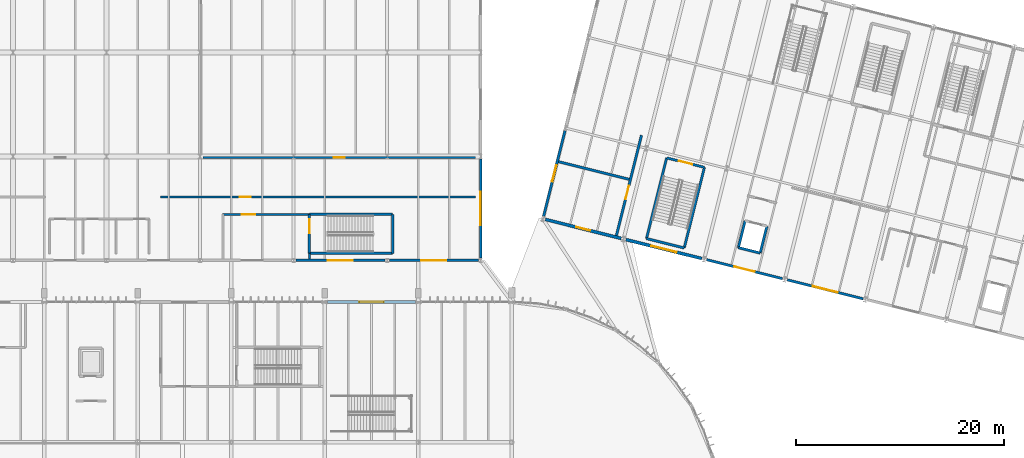
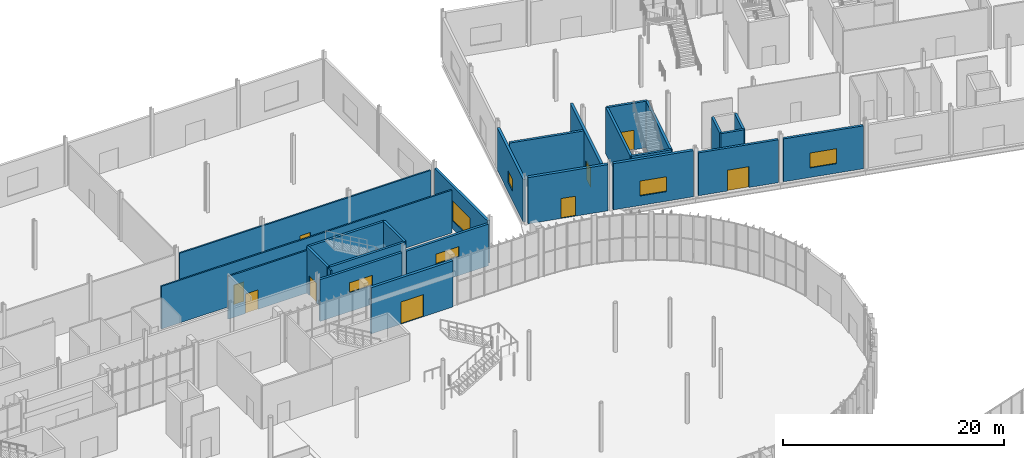
# One storey, part 126 of 158: 26 walls, 9 doors, 6 windows, 15 openings.
"""IFC4 building model written with IfcOpenShell, lengths in metres."""

from ifc_helpers import new_model, si_unit, derived_unit, direction, frame, frame_2d, origin, place, context, subcontext, project, spatial, rectangle, extrude, material, layer, layer_set, type_object, element, fill, save


model = new_model("IFC4")

# Units and contexts
model_context = context("Model", 3, precision=1e-05, world=origin(), true_north=direction((0.0, 1.0)))
body_context = subcontext(model_context, "Body", "Model", "MODEL_VIEW")
ifc_project = project(units=[si_unit("LENGTHUNIT", "METRE"), si_unit("AREAUNIT", "SQUARE_METRE"), si_unit("VOLUMEUNIT", "CUBIC_METRE"), si_unit("PLANEANGLEUNIT", "RADIAN"), si_unit("MASSUNIT", "GRAM", prefix="KILO"), si_unit("THERMODYNAMICTEMPERATUREUNIT", "KELVIN"), si_unit("TIMEUNIT", "SECOND"), derived_unit("THERMALTRANSMITTANCEUNIT", [(si_unit("MASSUNIT", "GRAM", prefix="KILO"), 1), (si_unit("THERMODYNAMICTEMPERATUREUNIT", "KELVIN"), -1), (si_unit("TIMEUNIT", "SECOND"), -3)])], contexts=[model_context])

# Site, building, storey
site_placement = place(None, origin())
site = spatial("IfcSite", under=ifc_project, at=site_placement, CompositionType="ELEMENT")
building_placement = place(site_placement, origin())
building = spatial("IfcBuilding", under=site, at=building_placement, Name="Cambertide Market Hall", CompositionType="ELEMENT")
storey_placement = place(building_placement, origin())
storey = spatial("IfcBuildingStorey", under=building, at=storey_placement, Name="L01", CompositionType="ELEMENT", Elevation=0.0)

# Wall, opening, door
ifc_material_1 = material(Name="Concrete B35", Category="concrete")
ifc_layer_1 = layer(ifc_material_1, 0.25, Name="Compartment Fire Wall 250")
ifc_layer_set_1 = layer_set([ifc_layer_1], Name="Concrete B35")
wall_type_1 = type_object("IfcWallType", Name="Compartment Fire Wall 250", PredefinedType="SOLIDWALL", material=ifc_layer_set_1)
wall_1_placement = place(storey_placement, frame((115.06982421875, 98.38720703125, 0.0), z_axis=(0.0, 0.0, 1.0), x_axis=(0.242547171792, 0.970139613384, 0.0)))
wall_1 = element("IfcWall", 1, at=wall_1_placement, inside=storey, type_object=wall_type_1, Name="Level 1 Interior Wall IW-L01-FCC-E", PredefinedType="SOLIDWALL", context=body_context, shape_type="SweptSolid", body=[
    extrude(rectangle(XDim=9.949951171875, YDim=0.25, at=frame_2d((4.97509765625, 0.0))), origin(), (0.0, 0.0, 1.0), 5.080078125),
])
opening_1_placement = place(wall_1_placement, frame((3.633056640625, 0.0, 0.0)))
opening_1 = element("IfcOpeningElement", 2, at=opening_1_placement, cuts=wall_1, Name="Opening FD-01", PredefinedType="OPENING", context=body_context, shape_type="SweptSolid", body=[
    extrude(rectangle(XDim=1.300048828125, YDim=2.14990234375, at=frame_2d((0.64990234375, 1.074951171875))), frame((0.0, 0.135009765625, 0.0), z_axis=(0.0, -1.0, 0.0), x_axis=(1.0, 0.0, 0.0)), (0.0, 0.0, 1.0), 0.27001953125),
])
ifc_material_2 = material(Name="Powder-Coated Galvanized Sheet Metal", Category="metal")
door_type_1 = type_object("IfcDoorType", Name="Stair Core Fire Door 1300x2150", OperationType="NOTDEFINED", PredefinedType="DOOR", material=ifc_material_2)
door_1_placement = place(opening_1_placement, origin())
door_1 = element("IfcDoor", 3, at=door_1_placement, inside=storey, type_object=door_type_1, Name="Level 1 Door IW-L01-FCC-E-DR1", OperationType="SINGLE_SWING_LEFT", OverallHeight=2.14990234375, OverallWidth=1.300048828125, PredefinedType="DOOR", context=body_context, shape_type="SweptSolid", body=[
    extrude(rectangle(XDim=1.300048828125, YDim=2.14990234375, at=frame_2d((0.64990234375, 1.074951171875))), frame((0.0, 0.02490234375, 0.0), z_axis=(0.0, -1.0, 0.0), x_axis=(1.0, 0.0, 0.0)), (0.0, 0.0, 1.0), 0.050048828125),
])
fill(opening_1, door_1)

# Wall
wall_2_placement = place(storey_placement, frame((109.503662109375, 105.49951171875, 0.0), z_axis=(0.0, 0.0, 1.0), x_axis=(0.970142500145, -0.242535625036, 0.0)))
element("IfcWall", 4, at=wall_2_placement, inside=storey, type_object=wall_type_1, Name="Level 1 Interior Wall IW-L01-FCC-N", PredefinedType="SOLIDWALL", context=body_context, shape_type="SweptSolid", body=[
    extrude(rectangle(XDim=7.0, YDim=0.25, at=frame_2d((3.5, 0.0))), origin(), (0.0, 0.0, 1.0), 5.080078125),
])

# Wall, opening, door
ifc_material_3 = material(Name="Autoclaved Aerated Concrete Blockwork M7.5", Category="masonry")
ifc_layer_2 = layer(ifc_material_3, 0.159912109375, Name="Fire-Rated Corridor & Kitchen Partition 160")
ifc_layer_set_2 = layer_set([ifc_layer_2], Name="Autoclaved Aerated Concrete Blockwork M7.5")
wall_type_2 = type_object("IfcWallType", Name="Fire-Rated Corridor & Kitchen Partition 160", PredefinedType="PARTITIONING", material=ifc_layer_set_2)
wall_3_placement = place(storey_placement, frame((75.300048828125, 105.89990234375, 0.0), z_axis=(0.0, 0.0, 1.0), x_axis=(1.0, 0.0, 0.0)))
wall_3 = element("IfcWall", 5, at=wall_3_placement, inside=storey, type_object=wall_type_2, Name="Level 1 Interior Wall IW-L01-V2N-3", PredefinedType="PARTITIONING", context=body_context, shape_type="SweptSolid", body=[
    extrude(rectangle(XDim=26.199951171875, YDim=0.159912109375, at=frame_2d((13.10009765625, 0.0))), origin(), (0.0, 0.0, 1.0), 4.610107421875),
])
opening_2_placement = place(wall_3_placement, frame((12.574951171875, 0.0, 0.0)))
opening_2 = element("IfcOpeningElement", 6, at=opening_2_placement, cuts=wall_3, Name="Opening KD-01", PredefinedType="OPENING", context=body_context, shape_type="SweptSolid", body=[
    extrude(rectangle(XDim=1.050048828125, YDim=2.14990234375, at=frame_2d((0.52490234375, 1.074951171875))), frame((0.0, 0.08984375, 0.0), z_axis=(0.0, -1.0, 0.0), x_axis=(1.0, 0.0, 0.0)), (0.0, 0.0, 1.0), 0.179931640625),
])
ifc_material_4 = material(Name="Stainless Steel Grade 316", Category="metal")
door_type_2 = type_object("IfcDoorType", Name="Kitchen & Lab Fire Door 1050x2150", OperationType="NOTDEFINED", PredefinedType="DOOR", material=ifc_material_4)
door_2_placement = place(opening_2_placement, origin())
door_2 = element("IfcDoor", 7, at=door_2_placement, inside=storey, type_object=door_type_2, Name="Level 1 Door IW-L01-V2N-3-DR1", OperationType="SINGLE_SWING_RIGHT", OverallHeight=2.14990234375, OverallWidth=1.050048828125, PredefinedType="DOOR", context=body_context, shape_type="SweptSolid", body=[
    extrude(rectangle(XDim=1.050048828125, YDim=2.14990234375, at=frame_2d((0.52490234375, 1.074951171875))), frame((0.0, 0.02490234375, 0.0), z_axis=(0.0, -1.0, 0.0), x_axis=(1.0, 0.0, 0.0)), (0.0, 0.0, 1.0), 0.050048828125),
])
fill(opening_2, door_2)

wall_4_placement = place(storey_placement, frame((71.199951171875, 102.10009765625, 0.0), z_axis=(0.0, 0.0, 1.0), x_axis=(1.0, 0.0, 0.0)))
wall_4 = element("IfcWall", 8, at=wall_4_placement, inside=storey, type_object=wall_type_2, Name="Level 1 Interior Wall IW-L01-V2S-2", PredefinedType="PARTITIONING", context=body_context, shape_type="SweptSolid", body=[
    extrude(rectangle(XDim=30.300048828125, YDim=0.159912109375, at=frame_2d((15.14990234375, 0.0))), origin(), (0.0, 0.0, 1.0), 4.7099609375),
])
opening_3_placement = place(wall_4_placement, frame((7.60498046875, 0.0, 0.0)))
opening_3 = element("IfcOpeningElement", 9, at=opening_3_placement, cuts=wall_4, Name="Opening KD-01", PredefinedType="OPENING", context=body_context, shape_type="SweptSolid", body=[
    extrude(rectangle(XDim=1.050048828125, YDim=2.14990234375, at=frame_2d((0.52490234375, 1.074951171875))), frame((0.0, 0.08984375, 0.0), z_axis=(0.0, -1.0, 0.0), x_axis=(1.0, 0.0, 0.0)), (0.0, 0.0, 1.0), 0.179931640625),
])
door_3_placement = place(opening_3_placement, origin())
door_3 = element("IfcDoor", 10, at=door_3_placement, inside=storey, type_object=door_type_2, Name="Level 1 Door IW-L01-V2S-2-DR1", OperationType="SINGLE_SWING_RIGHT", OverallHeight=2.14990234375, OverallWidth=1.050048828125, PredefinedType="DOOR", context=body_context, shape_type="SweptSolid", body=[
    extrude(rectangle(XDim=1.050048828125, YDim=2.14990234375, at=frame_2d((0.52490234375, 1.074951171875))), frame((0.0, 0.02490234375, 0.0), z_axis=(0.0, -1.0, 0.0), x_axis=(1.0, 0.0, 0.0)), (0.0, 0.0, 1.0), 0.050048828125),
])
fill(opening_3, door_3)

# Wall, opening, window
ifc_material_5 = material(Name="Autoclaved Aerated Concrete Blockwork M7.5", Category="masonry")
ifc_layer_3 = layer(ifc_material_5, 0.25, Name="Insulated AAC Exterior Infill Wall 250")
ifc_layer_set_3 = layer_set([ifc_layer_3], Name="Autoclaved Aerated Concrete Blockwork M7.5")
wall_type_3 = type_object("IfcWallType", Name="Insulated AAC Exterior Infill Wall 250", PredefinedType="SOLIDWALL", material=ifc_layer_set_3)
wall_5_placement = place(storey_placement, frame((92.780029296875, 96.0, 0.0), z_axis=(0.0, 0.0, 1.0), x_axis=(-1.0, 0.0, 0.0)))
wall_5 = element("IfcWall", 11, at=wall_5_placement, inside=storey, type_object=wall_type_3, Name="Level 1 Exterior Wall EW-L01-V2S-9", PredefinedType="SOLIDWALL", context=body_context, shape_type="SweptSolid", body=[
    extrude(rectangle(XDim=8.56005859375, YDim=0.25, at=frame_2d((4.280029296875, 0.0))), origin(), (0.0, 0.0, 1.0), 4.610107421875),
])
opening_4_placement = place(wall_5_placement, frame((3.080078125, 0.0, 2.10009765625)))
opening_4 = element("IfcOpeningElement", 12, at=opening_4_placement, cuts=wall_5, Name="Opening WN-01", PredefinedType="OPENING", context=body_context, shape_type="SweptSolid", body=[
    extrude(rectangle(XDim=2.39990234375, YDim=1.10009765625, at=frame_2d((1.199951171875, 0.550048828125))), frame((0.0, 0.135009765625, 0.0), z_axis=(0.0, -1.0, 0.0), x_axis=(1.0, 0.0, 0.0)), (0.0, 0.0, 1.0), 0.27001953125),
])
ifc_material_6 = material(Name="Low-E Laminated Insulated Glass", Category="glass")
window_type_1 = type_object("IfcWindowType", Name="Service Arcade Clerestory Window 2400x1100", PartitioningType="SINGLE_PANEL", PredefinedType="WINDOW", material=ifc_material_6)
window_1_placement = place(opening_4_placement, origin())
window_1 = element("IfcWindow", 13, at=window_1_placement, inside=storey, type_object=window_type_1, Name="Level 1 Window EW-L01-V2S-9-WN", OverallHeight=1.10009765625, OverallWidth=2.39990234375, PartitioningType="SINGLE_PANEL", PredefinedType="WINDOW", context=body_context, shape_type="SweptSolid", body=[
    extrude(rectangle(XDim=2.39990234375, YDim=1.10009765625, at=frame_2d((1.199951171875, 0.550048828125))), frame((0.0, 0.030029296875, 0.0), z_axis=(0.0, -1.0, 0.0), x_axis=(1.0, 0.0, 0.0)), (0.0, 0.0, 1.0), 0.06005859375),
])
fill(opening_4, window_1)

wall_6_placement = place(storey_placement, frame((101.780029296875, 96.0, 0.0), z_axis=(0.0, 0.0, 1.0), x_axis=(-1.0, 0.0, 0.0)))
wall_6 = element("IfcWall", 14, at=wall_6_placement, inside=storey, type_object=wall_type_3, Name="Level 1 Exterior Wall EW-L01-V2S-10", PredefinedType="SOLIDWALL", context=body_context, shape_type="SweptSolid", body=[
    extrude(rectangle(XDim=8.56005859375, YDim=0.25, at=frame_2d((4.280029296875, 0.0))), origin(), (0.0, 0.0, 1.0), 4.610107421875),
])
opening_5_placement = place(wall_6_placement, frame((3.080078125, 0.0, 2.10009765625)))
opening_5 = element("IfcOpeningElement", 15, at=opening_5_placement, cuts=wall_6, Name="Opening WN-01", PredefinedType="OPENING", context=body_context, shape_type="SweptSolid", body=[
    extrude(rectangle(XDim=2.39990234375, YDim=1.10009765625, at=frame_2d((1.199951171875, 0.550048828125))), frame((0.0, 0.135009765625, 0.0), z_axis=(0.0, -1.0, 0.0), x_axis=(1.0, 0.0, 0.0)), (0.0, 0.0, 1.0), 0.27001953125),
])
window_2_placement = place(opening_5_placement, origin())
window_2 = element("IfcWindow", 16, at=window_2_placement, inside=storey, type_object=window_type_1, Name="Level 1 Window EW-L01-V2S-10-WN", OverallHeight=1.10009765625, OverallWidth=2.39990234375, PartitioningType="SINGLE_PANEL", PredefinedType="WINDOW", context=body_context, shape_type="SweptSolid", body=[
    extrude(rectangle(XDim=2.39990234375, YDim=1.10009765625, at=frame_2d((1.199951171875, 0.550048828125))), frame((0.0, 0.030029296875, 0.0), z_axis=(0.0, -1.0, 0.0), x_axis=(1.0, 0.0, 0.0)), (0.0, 0.0, 1.0), 0.06005859375),
])
fill(opening_5, window_2)

wall_7_placement = place(storey_placement, frame((102.0, 105.780029296875, 0.0), z_axis=(0.0, 0.0, 1.0), x_axis=(0.0, -1.0, 0.0)))
wall_7 = element("IfcWall", 17, at=wall_7_placement, inside=storey, type_object=wall_type_3, Name="Level 1 Exterior Wall EW-L01-V2E-1", PredefinedType="SOLIDWALL", context=body_context, shape_type="SweptSolid", body=[
    extrude(rectangle(XDim=9.56005859375, YDim=0.25, at=frame_2d((4.780029296875, 0.0))), origin(), (0.0, 0.0, 1.0), 4.7099609375),
])
opening_6_placement = place(wall_7_placement, frame((3.179931640625, 0.0, 0.89990234375)))
opening_6 = element("IfcOpeningElement", 18, at=opening_6_placement, cuts=wall_7, Name="Opening WN-02", PredefinedType="OPENING", context=body_context, shape_type="SweptSolid", body=[
    extrude(rectangle(XDim=3.199951171875, YDim=2.199951171875, at=frame_2d((1.60009765625, 1.10009765625))), frame((0.0, 0.135009765625, 0.0), z_axis=(0.0, -1.0, 0.0), x_axis=(1.0, 0.0, 0.0)), (0.0, 0.0, 1.0), 0.27001953125),
])
ifc_material_7 = material(Name="Low-E Laminated Insulated Glass", Category="glass")
window_type_2 = type_object("IfcWindowType", Name="Retail Display Window 3200x2200", PartitioningType="SINGLE_PANEL", PredefinedType="WINDOW", material=ifc_material_7)
window_3_placement = place(opening_6_placement, origin())
window_3 = element("IfcWindow", 19, at=window_3_placement, inside=storey, type_object=window_type_2, Name="Level 1 Window EW-L01-V2E-1-WN", OverallHeight=2.199951171875, OverallWidth=3.199951171875, PartitioningType="SINGLE_PANEL", PredefinedType="WINDOW", context=body_context, shape_type="SweptSolid", body=[
    extrude(rectangle(XDim=3.199951171875, YDim=2.199951171875, at=frame_2d((1.60009765625, 1.10009765625))), frame((0.0, 0.030029296875, 0.0), z_axis=(0.0, -1.0, 0.0), x_axis=(1.0, 0.0, 0.0)), (0.0, 0.0, 1.0), 0.06005859375),
])
fill(opening_6, window_3)

# Wall, opening, door
wall_8_placement = place(storey_placement, frame((131.050537109375, 94.2373046875, 0.0), z_axis=(0.0, 0.0, 1.0), x_axis=(-0.970138680536, 0.242550902961, 0.0)))
wall_8 = element("IfcWall", 20, at=wall_8_placement, inside=storey, type_object=wall_type_3, Name="Level 1 Exterior Wall EW-L01-V4S-3", PredefinedType="SOLIDWALL", context=body_context, shape_type="SweptSolid", body=[
    extrude(rectangle(XDim=7.52001953125, YDim=0.25, at=frame_2d((3.760009765625, 0.0))), origin(), (0.0, 0.0, 1.0), 4.735107421875),
])
opening_7_placement = place(wall_8_placement, frame((2.760009765625, 0.0, 0.0)))
opening_7 = element("IfcOpeningElement", 21, at=opening_7_placement, cuts=wall_8, Name="Opening ED-01", PredefinedType="OPENING", context=body_context, shape_type="SweptSolid", body=[
    extrude(rectangle(XDim=2.0, YDim=2.300048828125, at=frame_2d((1.0, 1.14990234375))), frame((0.0, 0.135009765625, 0.0), z_axis=(0.0, -1.0, 0.0), x_axis=(1.0, 0.0, 0.0)), (0.0, 0.0, 1.0), 0.27001953125),
])
ifc_material_8 = material(Name="Champagne Marine Anodized Aluminium 6063-T6 AA25", Category="aluminium")
door_type_3 = type_object("IfcDoorType", Name="Final Exit Double Door 2000x2300", OperationType="DOUBLE_DOOR_SINGLE_SWING", PredefinedType="DOOR", material=ifc_material_8)
door_4_placement = place(opening_7_placement, origin())
door_4 = element("IfcDoor", 22, at=door_4_placement, inside=storey, type_object=door_type_3, Name="Level 1 Exterior Door EW-L01-V4S-3-DR", OperationType="DOUBLE_DOOR_SINGLE_SWING", OverallHeight=2.300048828125, OverallWidth=2.0, PredefinedType="DOOR", context=body_context, shape_type="SweptSolid", body=[
    extrude(rectangle(XDim=2.0, YDim=2.300048828125, at=frame_2d((1.0, 1.14990234375))), frame((0.0, 0.02490234375, 0.0), z_axis=(0.0, -1.0, 0.0), x_axis=(1.0, 0.0, 0.0)), (0.0, 0.0, 1.0), 0.050048828125),
])
fill(opening_7, door_4)

# Wall, opening, window
wall_9_placement = place(storey_placement, frame((138.811767578125, 92.297119140625, 0.0), z_axis=(0.0, 0.0, 1.0), x_axis=(-0.970146319544, 0.242520346931, 0.0)))
wall_9 = element("IfcWall", 23, at=wall_9_placement, inside=storey, type_object=wall_type_3, Name="Level 1 Exterior Wall EW-L01-V4S-4", PredefinedType="SOLIDWALL", context=body_context, shape_type="SweptSolid", body=[
    extrude(rectangle(XDim=7.52001953125, YDim=0.25, at=frame_2d((3.760009765625, 0.0))), origin(), (0.0, 0.0, 1.0), 4.735107421875),
])
opening_8_placement = place(wall_9_placement, frame((2.510009765625, 0.0, 1.050048828125)))
opening_8 = element("IfcOpeningElement", 24, at=opening_8_placement, cuts=wall_9, Name="Opening WN-09", PredefinedType="OPENING", context=body_context, shape_type="SweptSolid", body=[
    extrude(rectangle(XDim=2.5, YDim=1.64990234375, at=frame_2d((1.25, 0.824951171875))), frame((0.0, 0.135009765625, 0.0), z_axis=(0.0, -1.0, 0.0), x_axis=(1.0, 0.0, 0.0)), (0.0, 0.0, 1.0), 0.27001953125),
])
ifc_material_9 = material(Name="Low-E Laminated Insulated Glass", Category="glass")
window_type_3 = type_object("IfcWindowType", Name="Market Admin Office Window 2500x1650", PartitioningType="SINGLE_PANEL", PredefinedType="WINDOW", material=ifc_material_9)
window_4_placement = place(opening_8_placement, origin())
window_4 = element("IfcWindow", 25, at=window_4_placement, inside=storey, type_object=window_type_3, Name="Level 1 Window EW-L01-V4S-4-WN", OverallHeight=1.64990234375, OverallWidth=2.5, PartitioningType="SINGLE_PANEL", PredefinedType="WINDOW", context=body_context, shape_type="SweptSolid", body=[
    extrude(rectangle(XDim=2.5, YDim=1.64990234375, at=frame_2d((1.25, 0.824951171875))), frame((0.0, 0.030029296875, 0.0), z_axis=(0.0, -1.0, 0.0), x_axis=(1.0, 0.0, 0.0)), (0.0, 0.0, 1.0), 0.06005859375),
])
fill(opening_8, window_4)

wall_10_placement = place(storey_placement, frame((108.05810546875, 100.23291015625, 0.0), z_axis=(0.0, 0.0, 1.0), x_axis=(0.242535625036, 0.970142500145, 0.0)))
wall_10 = element("IfcWall", 26, at=wall_10_placement, inside=storey, type_object=wall_type_3, Name="Level 1 Exterior Wall EW-L01-V4W-1", PredefinedType="SOLIDWALL", context=body_context, shape_type="SweptSolid", body=[
    extrude(rectangle(XDim=8.52001953125, YDim=0.25, at=frame_2d((4.260009765625, 0.0))), origin(), (0.0, 0.0, 1.0), 4.68505859375),
])
opening_9_placement = place(wall_10_placement, frame((3.4599609375, 0.0, 1.050048828125)))
opening_9 = element("IfcOpeningElement", 27, at=opening_9_placement, cuts=wall_10, Name="Opening WN-10", PredefinedType="OPENING", context=body_context, shape_type="SweptSolid", body=[
    extrude(rectangle(XDim=1.60009765625, YDim=1.300048828125, at=frame_2d((0.800048828125, 0.64990234375))), frame((0.0, 0.135009765625, 0.0), z_axis=(0.0, -1.0, 0.0), x_axis=(1.0, 0.0, 0.0)), (0.0, 0.0, 1.0), 0.27001953125),
])
ifc_material_10 = material(Name="Low-E Laminated Insulated Glass", Category="glass")
window_type_4 = type_object("IfcWindowType", Name="Fire Command Observation Window 1600x1300", PartitioningType="SINGLE_PANEL", PredefinedType="WINDOW", material=ifc_material_10)
window_5_placement = place(opening_9_placement, origin())
window_5 = element("IfcWindow", 28, at=window_5_placement, inside=storey, type_object=window_type_4, Name="Level 1 Window EW-L01-V4W-1-WN", OverallHeight=1.300048828125, OverallWidth=1.60009765625, PartitioningType="SINGLE_PANEL", PredefinedType="WINDOW", context=body_context, shape_type="SweptSolid", body=[
    extrude(rectangle(XDim=1.60009765625, YDim=1.300048828125, at=frame_2d((0.800048828125, 0.64990234375))), frame((0.0, 0.030029296875, 0.0), z_axis=(0.0, -1.0, 0.0), x_axis=(1.0, 0.0, 0.0)), (0.0, 0.0, 1.0), 0.06005859375),
])
fill(opening_9, window_5)

# Wall, opening, door
ifc_material_11 = material(Name="Precast concrete B35", Category="concrete")
ifc_layer_4 = layer(ifc_material_11, 0.280029296875, Name="Load-Bearing Precast Facade Wall 280")
ifc_layer_set_4 = layer_set([ifc_layer_4], Name="Precast concrete B35")
wall_type_4 = type_object("IfcWallType", Name="Load-Bearing Precast Facade Wall 280", PredefinedType="SOLIDWALL", material=ifc_layer_set_4)
wall_11_placement = place(storey_placement, frame((87.25, 92.0, 0.0), z_axis=(0.0, 0.0, 1.0), x_axis=(1.0, 0.0, 0.0)))
wall_11 = element("IfcWall", 29, at=wall_11_placement, inside=storey, type_object=wall_type_4, Name="Level 1 Exterior Wall EW-L01-V1N-6", PredefinedType="SOLIDWALL", context=body_context, shape_type="SweptSolid", body=[
    extrude(rectangle(XDim=8.5, YDim=0.280029296875, at=frame_2d((4.25, 0.0))), origin(), (0.0, 0.0, 1.0), 5.10009765625),
])
opening_10_placement = place(wall_11_placement, frame((3.074951171875, 0.0, 0.0)))
opening_10 = element("IfcOpeningElement", 30, at=opening_10_placement, cuts=wall_11, Name="Opening ED-02", PredefinedType="OPENING", context=body_context, shape_type="SweptSolid", body=[
    extrude(rectangle(XDim=2.35009765625, YDim=2.449951171875, at=frame_2d((1.175048828125, 1.22509765625))), frame((0.0, 0.14990234375, 0.0), z_axis=(0.0, -1.0, 0.0), x_axis=(1.0, 0.0, 0.0)), (0.0, 0.0, 1.0), 0.300048828125),
])
ifc_material_12 = material(Name="Champagne Marine Anodized Aluminium 6063-T6 AA25", Category="aluminium")
door_type_4 = type_object("IfcDoorType", Name="Market Portal Double Exit Door 2350x2450", OperationType="DOUBLE_DOOR_SINGLE_SWING", PredefinedType="DOOR", material=ifc_material_12)
door_5_placement = place(opening_10_placement, origin())
door_5 = element("IfcDoor", 31, at=door_5_placement, inside=storey, type_object=door_type_4, Name="Level 1 Exterior Door EW-L01-V1N-6-DR", OperationType="DOUBLE_DOOR_SINGLE_SWING", OverallHeight=2.449951171875, OverallWidth=2.35009765625, PredefinedType="DOOR", context=body_context, shape_type="SweptSolid", body=[
    extrude(rectangle(XDim=2.35009765625, YDim=2.449951171875, at=frame_2d((1.175048828125, 1.22509765625))), frame((0.0, 0.02490234375, 0.0), z_axis=(0.0, -1.0, 0.0), x_axis=(1.0, 0.0, 0.0)), (0.0, 0.0, 1.0), 0.050048828125),
])
fill(opening_10, door_5)

ifc_material_13 = material(Name="Autoclaved Aerated Concrete Blockwork M7.5", Category="masonry")
ifc_layer_5 = layer(ifc_material_13, 0.1650390625, Name="Protected Exit Passageway Fire Wall 165")
ifc_layer_set_5 = layer_set([ifc_layer_5], Name="Autoclaved Aerated Concrete Blockwork M7.5")
wall_type_5 = type_object("IfcWallType", Name="Protected Exit Passageway Fire Wall 165", PredefinedType="PARTITIONING", material=ifc_layer_set_5)
wall_12_placement = place(storey_placement, frame((77.199951171875, 100.425048828125, 0.0), z_axis=(0.0, 0.0, 1.0), x_axis=(1.0, 0.0, 0.0)))
wall_12 = element("IfcWall", 32, at=wall_12_placement, inside=storey, type_object=wall_type_5, Name="Level 1 Interior Wall EXW-ST04-N", PredefinedType="PARTITIONING", context=body_context, shape_type="SweptSolid", body=[
    extrude(rectangle(XDim=8.324951171875, YDim=0.1650390625, at=frame_2d((4.16259765625, 0.0))), origin(), (0.0, 0.0, 1.0), 4.7099609375),
])
opening_11_placement = place(wall_12_placement, frame((1.826416015625, 0.0, 0.0)))
opening_11 = element("IfcOpeningElement", 33, at=opening_11_placement, cuts=wall_12, Name="Opening FD-01", PredefinedType="OPENING", context=body_context, shape_type="SweptSolid", body=[
    extrude(rectangle(XDim=1.300048828125, YDim=2.14990234375, at=frame_2d((0.64990234375, 1.074951171875))), frame((0.0, 0.092529296875, 0.0), z_axis=(0.0, -1.0, 0.0), x_axis=(1.0, 0.0, 0.0)), (0.0, 0.0, 1.0), 0.18505859375),
])
door_6_placement = place(opening_11_placement, origin())
door_6 = element("IfcDoor", 34, at=door_6_placement, inside=storey, type_object=door_type_1, Name="Level 1 Door EXW-ST04-N-DR1", OperationType="SINGLE_SWING_RIGHT", OverallHeight=2.14990234375, OverallWidth=1.300048828125, PredefinedType="DOOR", context=body_context, shape_type="SweptSolid", body=[
    extrude(rectangle(XDim=1.300048828125, YDim=2.14990234375, at=frame_2d((0.64990234375, 1.074951171875))), frame((0.0, 0.02490234375, 0.0), z_axis=(0.0, -1.0, 0.0), x_axis=(1.0, 0.0, 0.0)), (0.0, 0.0, 1.0), 0.050048828125),
])
fill(opening_11, door_6)

# Wall
wall_13_placement = place(storey_placement, frame((85.52490234375, 96.14990234375, 0.0), z_axis=(0.0, 0.0, 1.0), x_axis=(0.0, 1.0, 0.0)))
element("IfcWall", 35, at=wall_13_placement, inside=storey, type_object=wall_type_5, Name="Level 1 Interior Wall EXW-ST04-E", PredefinedType="PARTITIONING", context=body_context, shape_type="SweptSolid", body=[
    extrude(rectangle(XDim=0.525146484375, YDim=0.1650390625, at=frame_2d((0.2626953125, 0.0))), origin(), (0.0, 0.0, 1.0), 5.02001953125),
])

# Wall, opening, door
ifc_material_14 = material(Name="Concrete B35", Category="concrete")
ifc_layer_6 = layer(ifc_material_14, 0.239990234375, Name="Stair & Lift Core Shaft Wall 240")
ifc_layer_set_6 = layer_set([ifc_layer_6], Name="Concrete B35")
wall_type_6 = type_object("IfcWallType", Name="Stair & Lift Core Shaft Wall 240", PredefinedType="SOLIDWALL", material=ifc_layer_set_6)
wall_14_placement = place(storey_placement, frame((85.52490234375, 96.675048828125, 0.0), z_axis=(0.0, 0.0, 1.0), x_axis=(0.0, 1.0, 0.0)))
wall_14 = element("IfcWall", 36, at=wall_14_placement, inside=storey, type_object=wall_type_6, Name="Level 1 Interior Wall SHW-ST-04-L01-NEAR", PredefinedType="SOLIDWALL", context=body_context, shape_type="SweptSolid", body=[
    extrude(rectangle(XDim=3.75, YDim=0.239990234375, at=frame_2d((1.875, 0.0))), origin(), (0.0, 0.0, 1.0), 5.110107421875),
])
opening_12_placement = place(wall_14_placement, frame((1.9599609375, 0.0, 0.0)))
opening_12 = element("IfcOpeningElement", 37, at=opening_12_placement, cuts=wall_14, Name="Opening FD-01", PredefinedType="OPENING", context=body_context, shape_type="SweptSolid", body=[
    extrude(rectangle(XDim=1.300048828125, YDim=2.14990234375, at=frame_2d((0.64990234375, 1.074951171875))), frame((0.0, 0.1298828125, 0.0), z_axis=(0.0, -1.0, 0.0), x_axis=(1.0, 0.0, 0.0)), (0.0, 0.0, 1.0), 0.260009765625),
])
door_7_placement = place(opening_12_placement, origin())
door_7 = element("IfcDoor", 38, at=door_7_placement, inside=storey, type_object=door_type_1, Name="Level 1 Door SHW-ST-04-L01-NEAR-DR1", OperationType="SINGLE_SWING_RIGHT", OverallHeight=2.14990234375, OverallWidth=1.300048828125, PredefinedType="DOOR", context=body_context, shape_type="SweptSolid", body=[
    extrude(rectangle(XDim=1.300048828125, YDim=2.14990234375, at=frame_2d((0.64990234375, 1.074951171875))), frame((0.0, 0.02490234375, 0.0), z_axis=(0.0, -1.0, 0.0), x_axis=(1.0, 0.0, 0.0)), (0.0, 0.0, 1.0), 0.050048828125),
])
fill(opening_12, door_7)

# Walls
wall_15_placement = place(storey_placement, frame((93.52490234375, 96.675048828125, 0.0), z_axis=(0.0, 0.0, 1.0), x_axis=(-1.0, 0.0, 0.0)))
element("IfcWall", 39, at=wall_15_placement, inside=storey, type_object=wall_type_6, Name="Level 1 Interior Wall SHW-ST-04-L01-L", PredefinedType="SOLIDWALL", context=body_context, shape_type="SweptSolid", body=[
    extrude(rectangle(XDim=8.0, YDim=0.239990234375, at=frame_2d((4.0, 0.0))), origin(), (0.0, 0.0, 1.0), 5.110107421875),
])
wall_16_placement = place(storey_placement, frame((93.52490234375, 100.425048828125, 0.0), z_axis=(0.0, 0.0, 1.0), x_axis=(0.0, -1.0, 0.0)))
element("IfcWall", 40, at=wall_16_placement, inside=storey, type_object=wall_type_6, Name="Level 1 Interior Wall SHW-ST-04-L01-FAR", PredefinedType="SOLIDWALL", context=body_context, shape_type="SweptSolid", body=[
    extrude(rectangle(XDim=3.75, YDim=0.239990234375, at=frame_2d((1.875, 0.0))), origin(), (0.0, 0.0, 1.0), 5.110107421875),
])
wall_17_placement = place(storey_placement, frame((85.52490234375, 100.425048828125, 0.0), z_axis=(0.0, 0.0, 1.0), x_axis=(1.0, 0.0, 0.0)))
element("IfcWall", 41, at=wall_17_placement, inside=storey, type_object=wall_type_6, Name="Level 1 Interior Wall SHW-ST-04-L01-R", PredefinedType="SOLIDWALL", context=body_context, shape_type="SweptSolid", body=[
    extrude(rectangle(XDim=8.0, YDim=0.239990234375, at=frame_2d((4.0, 0.0))), origin(), (0.0, 0.0, 1.0), 5.110107421875),
])

# Wall, opening, door
wall_18_placement = place(storey_placement, frame((119.90234375, 105.86328125, 0.0), z_axis=(0.0, 0.0, 1.0), x_axis=(0.970150158722, -0.242504988675, 0.0)))
wall_18 = element("IfcWall", 42, at=wall_18_placement, inside=storey, type_object=wall_type_6, Name="Level 1 Interior Wall SHW-ST-07A-L01-NEAR", PredefinedType="SOLIDWALL", context=body_context, shape_type="SweptSolid", body=[
    extrude(rectangle(XDim=3.750244140625, YDim=0.239990234375, at=frame_2d((1.875, 0.0))), origin(), (0.0, 0.0, 1.0), 5.135009765625),
])
opening_13_placement = place(wall_18_placement, frame((1.22509765625, 0.0, 0.0)))
opening_13 = element("IfcOpeningElement", 43, at=opening_13_placement, cuts=wall_18, Name="Opening FD-01", PredefinedType="OPENING", context=body_context, shape_type="SweptSolid", body=[
    extrude(rectangle(XDim=1.300048828125, YDim=2.14990234375, at=frame_2d((0.64990234375, 1.074951171875))), frame((0.0, 0.1298828125, 0.0), z_axis=(0.0, -1.0, 0.0), x_axis=(1.0, 0.0, 0.0)), (0.0, 0.0, 1.0), 0.260009765625),
])
door_8_placement = place(opening_13_placement, origin())
door_8 = element("IfcDoor", 44, at=door_8_placement, inside=storey, type_object=door_type_1, Name="Level 1 Door SHW-ST-07A-L01-NEAR-DR1", OperationType="SINGLE_SWING_RIGHT", OverallHeight=2.14990234375, OverallWidth=1.300048828125, PredefinedType="DOOR", context=body_context, shape_type="SweptSolid", body=[
    extrude(rectangle(XDim=1.300048828125, YDim=2.14990234375, at=frame_2d((0.64990234375, 1.074951171875))), frame((0.0, 0.02490234375, 0.0), z_axis=(0.0, -1.0, 0.0), x_axis=(1.0, 0.0, 0.0)), (0.0, 0.0, 1.0), 0.050048828125),
])
fill(opening_13, door_8)

# Walls
wall_19_placement = place(storey_placement, frame((117.962158203125, 98.102294921875, 0.0), z_axis=(0.0, 0.0, 1.0), x_axis=(0.242528444268, 0.970144295309, 0.0)))
element("IfcWall", 45, at=wall_19_placement, inside=storey, type_object=wall_type_6, Name="Level 1 Interior Wall SHW-ST-07A-L01-L", PredefinedType="SOLIDWALL", context=body_context, shape_type="SweptSolid", body=[
    extrude(rectangle(XDim=7.999755859375, YDim=0.239990234375, at=frame_2d((4.0, 0.0))), origin(), (0.0, 0.0, 1.0), 5.135009765625),
])
wall_20_placement = place(storey_placement, frame((121.60009765625, 97.192626953125, 0.0), z_axis=(0.0, 0.0, 1.0), x_axis=(-0.970131009923, 0.242581581301, 0.0)))
element("IfcWall", 46, at=wall_20_placement, inside=storey, type_object=wall_type_6, Name="Level 1 Interior Wall SHW-ST-07A-L01-FAR", PredefinedType="SOLIDWALL", context=body_context, shape_type="SweptSolid", body=[
    extrude(rectangle(XDim=3.75, YDim=0.239990234375, at=frame_2d((1.875, 0.0))), origin(), (0.0, 0.0, 1.0), 5.135009765625),
])
wall_21_placement = place(storey_placement, frame((123.54052734375, 104.953857421875, 0.0), z_axis=(0.0, 0.0, 1.0), x_axis=(-0.242549986002, -0.970138909791, 0.0)))
element("IfcWall", 47, at=wall_21_placement, inside=storey, type_object=wall_type_6, Name="Level 1 Interior Wall SHW-ST-07A-L01-R", PredefinedType="SOLIDWALL", context=body_context, shape_type="SweptSolid", body=[
    extrude(rectangle(XDim=8.000244140625, YDim=0.239990234375, at=frame_2d((4.0, 0.0))), origin(), (0.0, 0.0, 1.0), 5.135009765625),
])
wall_22_placement = place(storey_placement, frame((128.904052734375, 96.701416015625, 0.0), z_axis=(0.0, 0.0, 1.0), x_axis=(-0.970135850962, 0.242562220222, 0.0)))
element("IfcWall", 48, at=wall_22_placement, inside=storey, type_object=wall_type_6, Name="Level 1 Interior Wall LSH-LP-03-L01-S", PredefinedType="SOLIDWALL", context=body_context, shape_type="SweptSolid", body=[
    extrude(rectangle(XDim=2.159912109375, YDim=0.239990234375, at=frame_2d((1.080078125, 0.0))), origin(), (0.0, 0.0, 1.0), 5.080078125),
])
for number, where, z_axis, x_axis, name in (
    (49, (126.80859375, 97.225341796875, 0.0), (0.0, 0.0, 1.0), (0.242578816146, 0.970131701346, 0.0), "Level 1 Interior Wall LSH-LP-03-L01-W"),
    (50, (129.54931640625, 99.281982421875, 0.0), (0.0, 0.0, 1.0), (-0.242578816146, -0.970131701346, 0.0), "Level 1 Interior Wall LSH-LP-03-L01-E"),
):
    element("IfcWall", number, at=place(storey_placement, frame(where, z_axis=z_axis, x_axis=x_axis)), inside=storey, type_object=wall_type_6, Name=name, PredefinedType="SOLIDWALL", context=body_context, shape_type="SweptSolid", body=[
        extrude(rectangle(XDim=2.659912109375, YDim=0.239990234375, at=frame_2d((1.330078125, 0.0))), origin(), (0.0, 0.0, 1.0), 5.080078125),
    ])

# Wall, opening, door
ifc_material_15 = material(Name="Concrete B35", Category="concrete")
ifc_layer_7 = layer(ifc_material_15, 0.300048828125, Name="Structural Facade Shear Wall 300")
ifc_layer_set_7 = layer_set([ifc_layer_7], Name="Concrete B35")
wall_type_7 = type_object("IfcWallType", Name="Structural Facade Shear Wall 300", PredefinedType="SHEAR", material=ifc_layer_set_7)
wall_23_placement = place(storey_placement, frame((115.5283203125, 98.117919921875, 0.0), z_axis=(0.0, 0.0, 1.0), x_axis=(-0.970138680536, 0.242550902961, 0.0)))
wall_23 = element("IfcWall", 51, at=wall_23_placement, inside=storey, type_object=wall_type_7, Name="Level 1 Exterior Wall EW-L01-V4S-FCC", PredefinedType="SHEAR", context=body_context, shape_type="SweptSolid", body=[
    extrude(rectangle(XDim=7.52001953125, YDim=0.300048828125, at=frame_2d((3.760009765625, 0.0))), origin(), (0.0, 0.0, 1.0), 5.10009765625),
])
opening_14_placement = place(wall_23_placement, frame((3.06005859375, 0.0, 0.0)))
opening_14 = element("IfcOpeningElement", 52, at=opening_14_placement, cuts=wall_23, Name="Opening ED-03", PredefinedType="OPENING", context=body_context, shape_type="SweptSolid", body=[
    extrude(rectangle(XDim=1.39990234375, YDim=2.199951171875, at=frame_2d((0.699951171875, 1.10009765625))), frame((0.0, 0.159912109375, 0.0), z_axis=(0.0, -1.0, 0.0), x_axis=(1.0, 0.0, 0.0)), (0.0, 0.0, 1.0), 0.320068359375),
])
ifc_material_16 = material(Name="Powder-Coated Galvanized Sheet Metal", Category="metal")
door_type_5 = type_object("IfcDoorType", Name="Fire Command Direct Exit Door 1400x2200", OperationType="NOTDEFINED", PredefinedType="DOOR", material=ifc_material_16)
door_9_placement = place(opening_14_placement, origin())
door_9 = element("IfcDoor", 53, at=door_9_placement, inside=storey, type_object=door_type_5, Name="Level 1 Exterior Door EW-L01-V4S-FCC-DR", OperationType="SINGLE_SWING_RIGHT", OverallHeight=2.199951171875, OverallWidth=1.39990234375, PredefinedType="DOOR", context=body_context, shape_type="SweptSolid", body=[
    extrude(rectangle(XDim=1.39990234375, YDim=2.199951171875, at=frame_2d((0.699951171875, 1.10009765625))), frame((0.0, 0.02490234375, 0.0), z_axis=(0.0, -1.0, 0.0), x_axis=(1.0, 0.0, 0.0)), (0.0, 0.0, 1.0), 0.050048828125),
])
fill(opening_14, door_9)

# Wall, opening, window
wall_24_placement = place(storey_placement, frame((123.28955078125, 96.177734375, 0.0), z_axis=(0.0, 0.0, 1.0), x_axis=(-0.970148228972, 0.242512708578, 0.0)))
wall_24 = element("IfcWall", 54, at=wall_24_placement, inside=storey, type_object=wall_type_7, Name="Level 1 Exterior Wall EW-L01-V4S-2", PredefinedType="SHEAR", context=body_context, shape_type="SweptSolid", body=[
    extrude(rectangle(XDim=7.520263671875, YDim=0.300048828125, at=frame_2d((3.76025390625, 0.0))), origin(), (0.0, 0.0, 1.0), 5.10009765625),
])
opening_15_placement = place(wall_24_placement, frame((2.510009765625, 0.0, 1.050048828125)))
opening_15 = element("IfcOpeningElement", 55, at=opening_15_placement, cuts=wall_24, Name="Opening WN-09", PredefinedType="OPENING", context=body_context, shape_type="SweptSolid", body=[
    extrude(rectangle(XDim=2.5, YDim=1.64990234375, at=frame_2d((1.25, 0.824951171875))), frame((0.0, 0.159912109375, 0.0), z_axis=(0.0, -1.0, 0.0), x_axis=(1.0, 0.0, 0.0)), (0.0, 0.0, 1.0), 0.320068359375),
])
window_6_placement = place(opening_15_placement, origin())
window_6 = element("IfcWindow", 56, at=window_6_placement, inside=storey, type_object=window_type_3, Name="Level 1 Window EW-L01-V4S-2-WN", OverallHeight=1.64990234375, OverallWidth=2.5, PartitioningType="SINGLE_PANEL", PredefinedType="WINDOW", context=body_context, shape_type="SweptSolid", body=[
    extrude(rectangle(XDim=2.5, YDim=1.64990234375, at=frame_2d((1.25, 0.824951171875))), frame((0.0, 0.030029296875, 0.0), z_axis=(0.0, -1.0, 0.0), x_axis=(1.0, 0.0, 0.0)), (0.0, 0.0, 1.0), 0.06005859375),
])
fill(opening_15, window_6)

save(model, "model.ifc")
